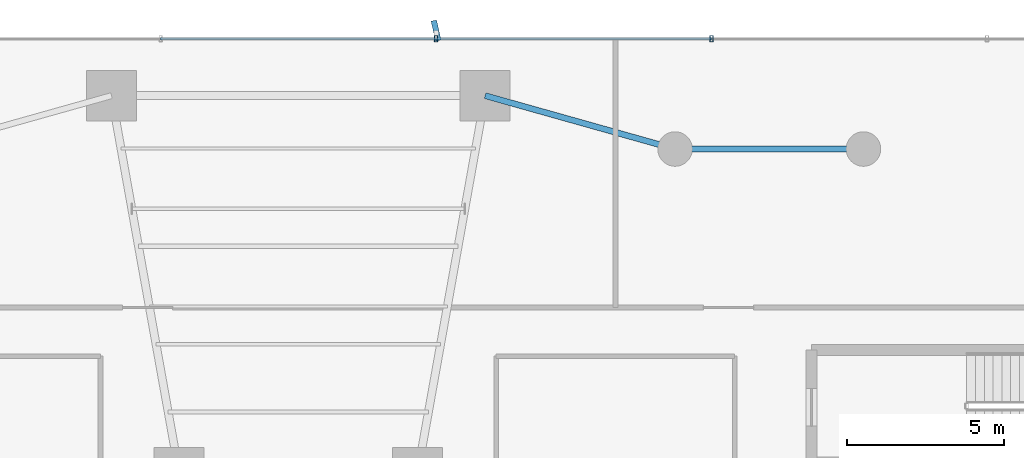
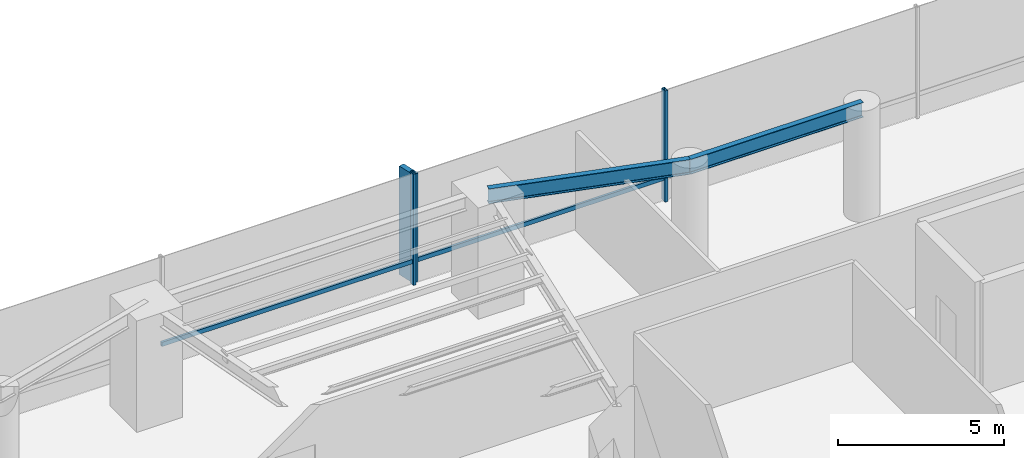
# One storey, part 11 of 23: 5 members, 2 beams, 1 element without a shape of its own.
"""IFC4 building model written with IfcOpenShell, lengths in metres."""

from ifc_helpers import new_model, si_unit, direction, frame, origin, origin_2d, place, context, subcontext, project, spatial, rectangle, hollow_rectangle, i_section, extrude, source, transform, mapped, material, material_profile, profile_set, type_object, element, aggregate, save


model = new_model("IFC4")

# Units and contexts
model_context = context("Model", 3, precision=1e-05, world=origin(), true_north=direction((0.0, 1.0)))
body_context = subcontext(model_context, "Body", "Model", "MODEL_VIEW")
ifc_project = project(units=[si_unit("LENGTHUNIT", "METRE"), si_unit("AREAUNIT", "SQUARE_METRE"), si_unit("VOLUMEUNIT", "CUBIC_METRE"), si_unit("PLANEANGLEUNIT", "RADIAN"), si_unit("MASSUNIT", "GRAM", prefix="KILO")], contexts=[model_context])

# Site, building, storey
site_placement = place(None, origin())
site = spatial("IfcSite", under=ifc_project, at=site_placement, CompositionType="ELEMENT")
building_placement = place(site_placement, origin())
building = spatial("IfcBuilding", under=site, at=building_placement, Name="Sahyath Konkavel Grand Hotel", CompositionType="ELEMENT")
storey_placement = place(building_placement, frame((0.0, 0.0, 4.800048828125)))
storey = spatial("IfcBuildingStorey", under=building, at=storey_placement, Name="L01", CompositionType="ELEMENT", Elevation=4.800048828125)

# Beams
ifc_material_1 = material(Name="Steel E350", Category="steel")
ifc_material_profile_1 = material_profile(ifc_material_1, i_section(OverallWidth=0.18994140625, OverallDepth=0.550048828125, WebThickness=0.01123046875, FlangeThickness=0.019287109375, FilletRadius=0.01806640625, at=origin_2d()), Name="ISMB 550")
ifc_profile_set_1 = profile_set([ifc_material_profile_1], Name="Steel E350")
beam_type = type_object("IfcBeamType", Name="BM-ISMB550", PredefinedType="BEAM", material=ifc_profile_set_1)
shared_shape_1 = source(origin(), body_context, "Body", "SweptSolid", [
    extrude(i_section(OverallWidth=0.18994140625, OverallDepth=0.550048828125, WebThickness=0.01123046875, FlangeThickness=0.019287109375, FilletRadius=0.01806640625, at=origin_2d()), origin(), (0.0, 0.0, 1.0), 6.0),
])
beam_1_placement = place(storey_placement, frame((12.0, 20.5, 3.824951171875), z_axis=(1.0, 0.0, 0.0), x_axis=(0.0, 1.0, 0.0)))
element("IfcBeam", 1, at=beam_1_placement, inside=storey, type_object=beam_type, Name="str:bm:L01:POD-04", PredefinedType="BEAM", context=body_context, shape_type="MappedRepresentation", body=[
    mapped(shared_shape_1, transform((0.0, 0.0, 0.0), scale=1.0)),
])
shared_shape_2 = source(origin(), body_context, "Body", "SweptSolid", [
    extrude(i_section(OverallWidth=0.18994140625, OverallDepth=0.550048828125, WebThickness=0.01123046875, FlangeThickness=0.019287109375, FilletRadius=0.01806640625, at=origin_2d()), origin(), (0.0, 0.0, 1.0), 6.284423828125),
])
beam_2_placement = place(storey_placement, frame((5.949951171875, 22.199951171875, 3.824951171875), z_axis=(0.962718307277, -0.270505934933, 0.0), x_axis=(0.270505934933, 0.962718307277, 0.0)))
element("IfcBeam", 2, at=beam_2_placement, inside=storey, type_object=beam_type, Name="str:bm:L01:POD-03", PredefinedType="BEAM", context=body_context, shape_type="MappedRepresentation", body=[
    mapped(shared_shape_2, transform((0.0, 0.0, 0.0), scale=1.0)),
])

# Curtain wall, members
ifc_material_2 = material(Name="Anodised Bronze Aluminium & Low-E Glazing", Category="aluminium")
curtain_wall_type = type_object("IfcCurtainWallType", Name="CW-PODIUM", PredefinedType="NOTDEFINED", material=ifc_material_2)
curtain_wall_placement = place(storey_placement, origin())
curtain_wall = element("IfcCurtainWall", 3, at=curtain_wall_placement, inside=storey, type_object=curtain_wall_type, Name="L01 Unitised Curtain Wall N", PredefinedType="NOTDEFINED")
ifc_material_3 = material(Name="Anodised Bronze Aluminium", Category="aluminium")
ifc_material_profile_2 = material_profile(ifc_material_3, hollow_rectangle(XDim=0.10009765625, YDim=0.199951171875, WallThickness=0.008056640625, at=origin_2d()), Name="RHS 200x100x8")
ifc_profile_set_2 = profile_set([ifc_material_profile_2], Name="Anodised Bronze Aluminium")
member_type_1 = type_object("IfcMemberType", Name="CW-MUL-200", PredefinedType="MULLION", material=ifc_profile_set_2)
shared_shape_3 = source(origin(), body_context, "Body", "SweptSolid", [
    extrude(hollow_rectangle(XDim=0.10009765625, YDim=0.199951171875, WallThickness=0.008056640625, at=origin_2d()), origin(), (0.0, 0.0, 1.0), 4.099853515625),
])
member_1_placement = place(storey_placement, frame((13.162353515625, 24.012939453125, 0.0), z_axis=(0.0, 0.0, 1.0), x_axis=(1.0, 0.0, 0.0)))
member_1 = element("IfcMember", 4, at=member_1_placement, type_object=member_type_1, Name="L01 Curtain Wall Mullion N-2", PredefinedType="MULLION", context=body_context, shape_type="MappedRepresentation", body=[
    mapped(shared_shape_3, transform((0.0, 0.0, 0.0), scale=1.0)),
])
member_2_placement = place(storey_placement, frame((4.387451171875, 24.012939453125, 0.0), z_axis=(0.0, 0.0, 1.0), x_axis=(1.0, 0.0, 0.0)))
member_2 = element("IfcMember", 5, at=member_2_placement, type_object=member_type_1, Name="L01 Curtain Wall Mullion N-3", PredefinedType="MULLION", context=body_context, shape_type="MappedRepresentation", body=[
    mapped(shared_shape_3, transform((0.0, 0.0, 0.0), scale=1.0)),
])
ifc_material_4 = material(Name="Warm Buff Sandstone Cladding on Concrete C50/60", Category="masonry")
ifc_material_profile_3 = material_profile(ifc_material_4, rectangle(XDim=0.179931640625, YDim=0.64990234375, at=origin_2d()), Name="FIN 180x650")
ifc_profile_set_3 = profile_set([ifc_material_profile_3], Name="Warm Buff Sandstone Cladding on Concrete C50/60")
member_type_2 = type_object("IfcMemberType", Name="FIN-SANDSTONE-650", PredefinedType="MULLION", material=ifc_profile_set_3)
shared_shape_4 = source(origin(), body_context, "Body", "SweptSolid", [
    extrude(rectangle(XDim=0.179931640625, YDim=0.64990234375, at=origin_2d()), origin(), (0.0, 0.0, 1.0), 4.0),
])
member_3_placement = place(storey_placement, frame((4.387451171875, 24.27294921875, 0.050048828125), z_axis=(0.0, 0.0, 1.0), x_axis=(0.975419299024, 0.220356962886, 0.0)))
member_3 = element("IfcMember", 6, at=member_3_placement, type_object=member_type_2, Name="L01 Sandstone Vertical Solar Fin FIN N-3", PredefinedType="MULLION", context=body_context, shape_type="MappedRepresentation", body=[
    mapped(shared_shape_4, transform((0.0, 0.0, 0.0), scale=1.0)),
])
ifc_material_profile_4 = material_profile(ifc_material_3, hollow_rectangle(XDim=0.080078125, YDim=0.159912109375, WallThickness=0.006103515625, at=origin_2d()), Name="RHS 160x80x6")
ifc_profile_set_4 = profile_set([ifc_material_profile_4], Name="Anodised Bronze Aluminium")
member_type_3 = type_object("IfcMemberType", Name="CW-TRN-160", PredefinedType="USERDEFINED", material=ifc_profile_set_4)
shared_shape_5 = source(origin(), body_context, "Body", "SweptSolid", [
    extrude(hollow_rectangle(XDim=0.080078125, YDim=0.159912109375, WallThickness=0.006103515625, at=origin_2d()), origin(), (0.0, 0.0, 1.0), 8.77490234375),
])
member_4_placement = place(storey_placement, frame((13.162353515625, 24.012939453125, 0.849853515625), z_axis=(-1.0, 0.0, 0.0), x_axis=(0.0, -1.0, 0.0)))
member_4 = element("IfcMember", 7, at=member_4_placement, type_object=member_type_3, Name="L01 Curtain Wall Transom N-2-spandrel", ObjectType="TRANSOM", PredefinedType="USERDEFINED", context=body_context, shape_type="MappedRepresentation", body=[
    mapped(shared_shape_5, transform((0.0, 0.0, 0.0), scale=1.0)),
])
member_5_placement = place(storey_placement, frame((4.387451171875, 24.012939453125, 0.849853515625), z_axis=(-1.0, 0.0, 0.0), x_axis=(0.0, -1.0, 0.0)))
member_5 = element("IfcMember", 8, at=member_5_placement, type_object=member_type_3, Name="L01 Curtain Wall Transom N-3-spandrel", ObjectType="TRANSOM", PredefinedType="USERDEFINED", context=body_context, shape_type="MappedRepresentation", body=[
    mapped(shared_shape_5, transform((0.0, 0.0, 0.0), scale=1.0)),
])
aggregate(curtain_wall, [member_1, member_2, member_3, member_4, member_5])

save(model, "model.ifc")
